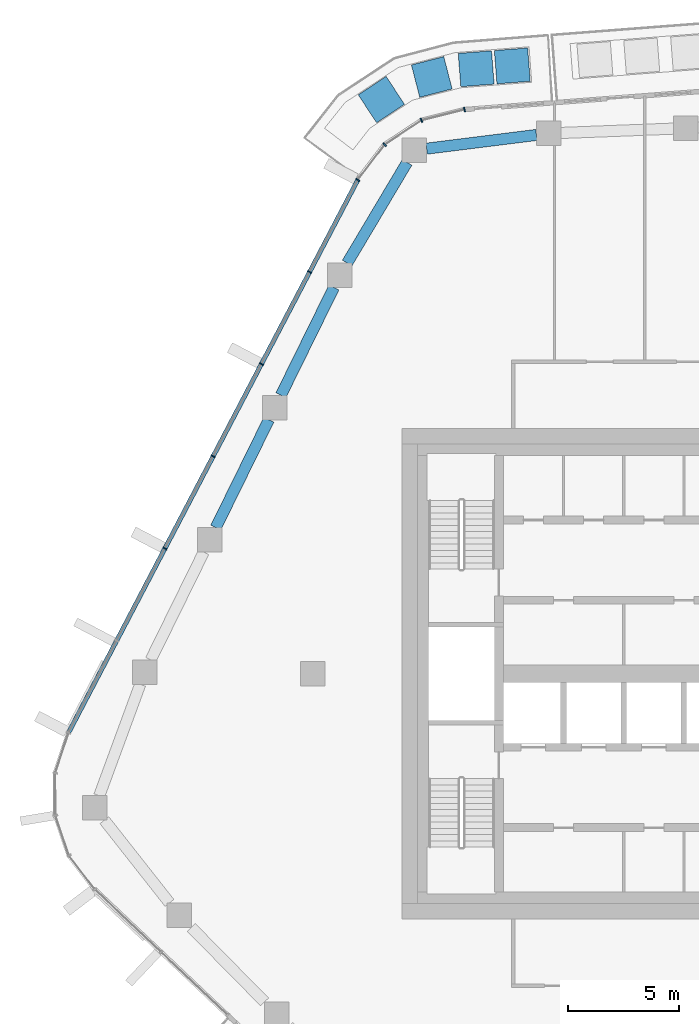
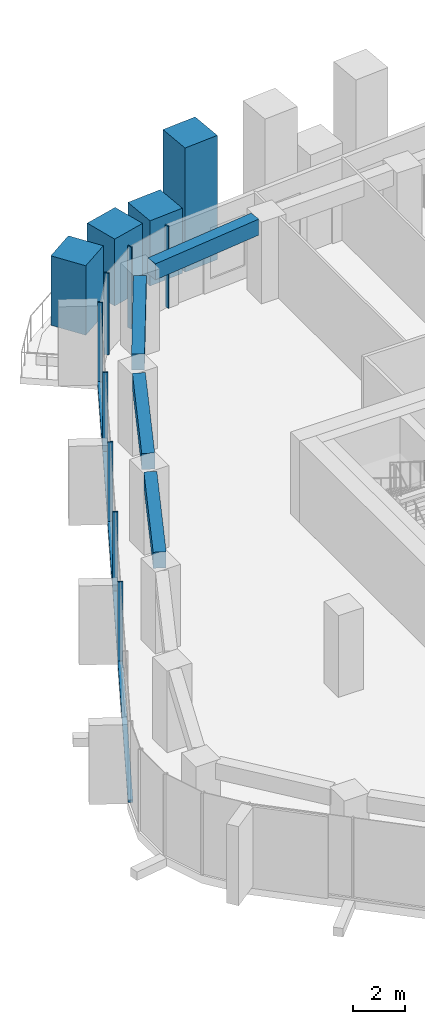
# One storey, part 6 of 20: 13 members, 4 beams, 2 elements without a shape of their own.
"""IFC4 building model written with IfcOpenShell, lengths in metres."""

from ifc_helpers import new_model, si_unit, direction, frame, origin, origin_2d, place, context, subcontext, project, spatial, rectangle, extrude, material, layer, layer_set, material_profile, profile_set, type_object, element, aggregate, save


model = new_model("IFC4")

# Units and contexts
model_context = context("Model", 3, precision=1e-05, world=origin(), true_north=direction((0.0, 1.0)))
body_context = subcontext(model_context, "Body", "Model", "MODEL_VIEW")
ifc_project = project(units=[si_unit("LENGTHUNIT", "METRE"), si_unit("AREAUNIT", "SQUARE_METRE"), si_unit("VOLUMEUNIT", "CUBIC_METRE"), si_unit("PLANEANGLEUNIT", "RADIAN"), si_unit("MASSUNIT", "GRAM", prefix="KILO")], contexts=[model_context])

# Site, building, storey
site_placement = place(None, origin())
site = spatial("IfcSite", under=ifc_project, at=site_placement, CompositionType="ELEMENT")
building_placement = place(site_placement, origin())
building = spatial("IfcBuilding", under=site, at=building_placement, Name="Dongbaek Canopy Tower", CompositionType="ELEMENT")
storey_placement = place(building_placement, frame((0.0, 0.0, 249.60009765625)))
storey = spatial("IfcBuildingStorey", under=building, at=storey_placement, Name="L52", CompositionType="ELEMENT", Elevation=249.60009765625)

# Curtain wall, members
ifc_material_1 = material(Name="Aluminium 6063-T6 pale anodised", Category="aluminium")
ifc_layer = layer(ifc_material_1, 0.199951171875)
ifc_layer_set = layer_set([ifc_layer], Name="CW-1 unitised tower curtain wall")
curtain_wall_type = type_object("IfcCurtainWallType", Name="CW-1 unitised tower curtain wall", PredefinedType="NOTDEFINED", material=ifc_layer_set)
curtain_wall_1_placement = place(storey_placement, origin())
curtain_wall_1 = element("IfcCurtainWall", 1, at=curtain_wall_1_placement, inside=storey, type_object=curtain_wall_type, Name="CW-1 curtain wall K2.1", PredefinedType="NOTDEFINED")
ifc_material_2 = material(Name="Aluminium 6063-T6 pale anodised", Category="aluminium")
ifc_material_profile_1 = material_profile(ifc_material_2, rectangle(XDim=0.199951171875, YDim=0.06005859375, at=origin_2d()), Name="CW-1 mullion 60 x 200")
ifc_profile_set_1 = profile_set([ifc_material_profile_1], Name="Aluminium 6063-T6 pale anodised")
member_type_1 = type_object("IfcMemberType", Name="CW-1 mullion 60 x 200", PredefinedType="MULLION", material=ifc_profile_set_1)
member_1_placement = place(storey_placement, frame((-11.193603515625, 25.3134765625, 0.0), z_axis=(0.0, 0.0, 1.0), x_axis=(-0.242823602331, 0.970070460405, 0.0)))
member_1 = element("IfcMember", 2, at=member_1_placement, type_object=member_type_1, Name="CW-1 mullion K2.1.1", PredefinedType="MULLION", context=body_context, shape_type="SweptSolid", body=[
    extrude(rectangle(XDim=0.199951171875, YDim=0.06005859375, at=origin_2d()), origin(), (0.0, 0.0, 1.0), 3.81982421875),
])
member_2_placement = place(storey_placement, frame((-13.123291015625, 24.830322265625, 0.0), z_axis=(0.0, 0.0, 1.0), x_axis=(-0.40223606789, 0.9155359882, 0.0)))
member_2 = element("IfcMember", 3, at=member_2_placement, type_object=member_type_1, Name="CW-1 mullion K2.1.2", PredefinedType="MULLION", context=body_context, shape_type="SweptSolid", body=[
    extrude(rectangle(XDim=0.199951171875, YDim=0.06005859375, at=origin_2d()), origin(), (0.0, 0.0, 1.0), 3.81982421875),
])
member_3_placement = place(storey_placement, frame((-14.77685546875, 23.74072265625, 0.0), z_axis=(0.0, 0.0, 1.0), x_axis=(-0.68260594491, 0.730786647369, 0.0)))
member_3 = element("IfcMember", 4, at=member_3_placement, type_object=member_type_1, Name="CW-1 mullion K2.1.3", PredefinedType="MULLION", context=body_context, shape_type="SweptSolid", body=[
    extrude(rectangle(XDim=0.199951171875, YDim=0.06005859375, at=origin_2d()), origin(), (0.0, 0.0, 1.0), 3.81982421875),
])
member_4_placement = place(storey_placement, frame((-15.98193359375, 22.158203125, 0.0), z_axis=(0.0, 0.0, 1.0), x_axis=(-0.795604680933, 0.605816136858, 0.0)))
member_4 = element("IfcMember", 5, at=member_4_placement, type_object=member_type_1, Name="CW-1 mullion K2.1.4", PredefinedType="MULLION", context=body_context, shape_type="SweptSolid", body=[
    extrude(rectangle(XDim=0.199951171875, YDim=0.06005859375, at=origin_2d()), origin(), (0.0, 0.0, 1.0), 3.81982421875),
])
aggregate(curtain_wall_1, [member_1, member_2, member_3, member_4])

curtain_wall_2_placement = place(storey_placement, origin())
curtain_wall_2 = element("IfcCurtainWall", 6, at=curtain_wall_2_placement, inside=storey, type_object=curtain_wall_type, Name="CW-1 curtain wall F2.1", PredefinedType="NOTDEFINED")
member_5_placement = place(storey_placement, frame((-18.14208984375, 18.030029296875, 0.119873046875), z_axis=(0.0, 0.0, 1.0), x_axis=(-0.886019109709, 0.463648721803, 0.0)))
member_5 = element("IfcMember", 7, at=member_5_placement, type_object=member_type_1, Name="CW-1 mullion F2.1.2", PredefinedType="MULLION", context=body_context, shape_type="SweptSolid", body=[
    extrude(rectangle(XDim=0.199951171875, YDim=0.06005859375, at=origin_2d()), origin(), (0.0, 0.0, 1.0), 3.699951171875),
])
member_6_placement = place(storey_placement, frame((-20.306396484375, 13.89453125, 0.119873046875), z_axis=(0.0, 0.0, 1.0), x_axis=(-0.886019109709, 0.463648721803, 0.0)))
member_6 = element("IfcMember", 8, at=member_6_placement, type_object=member_type_1, Name="CW-1 mullion F2.1.3", PredefinedType="MULLION", context=body_context, shape_type="SweptSolid", body=[
    extrude(rectangle(XDim=0.199951171875, YDim=0.06005859375, at=origin_2d()), origin(), (0.0, 0.0, 1.0), 3.699951171875),
])
member_7_placement = place(storey_placement, frame((-22.470458984375, 9.759033203125, 0.119873046875), z_axis=(0.0, 0.0, 1.0), x_axis=(-0.886019109709, 0.463648721803, 0.0)))
member_7 = element("IfcMember", 9, at=member_7_placement, type_object=member_type_1, Name="CW-1 mullion F2.1.4", PredefinedType="MULLION", context=body_context, shape_type="SweptSolid", body=[
    extrude(rectangle(XDim=0.199951171875, YDim=0.06005859375, at=origin_2d()), origin(), (0.0, 0.0, 1.0), 3.699951171875),
])
member_8_placement = place(storey_placement, frame((-24.634521484375, 5.623291015625, 0.119873046875), z_axis=(0.0, 0.0, 1.0), x_axis=(-0.886019109709, 0.463648721803, 0.0)))
member_8 = element("IfcMember", 10, at=member_8_placement, type_object=member_type_1, Name="CW-1 mullion F2.1.5", PredefinedType="MULLION", context=body_context, shape_type="SweptSolid", body=[
    extrude(rectangle(XDim=0.199951171875, YDim=0.06005859375, at=origin_2d()), origin(), (0.0, 0.0, 1.0), 3.699951171875),
])
ifc_material_3 = material(Name="Aluminium 6063-T6 pale anodised", Category="aluminium")
ifc_material_profile_2 = material_profile(ifc_material_3, rectangle(XDim=0.199951171875, YDim=0.1201171875, at=origin_2d()), Name="CW-1 transom 120 x 200")
ifc_profile_set_2 = profile_set([ifc_material_profile_2], Name="Aluminium 6063-T6 pale anodised")
member_type_2 = type_object("IfcMemberType", Name="CW-1 transom 120 x 200", PredefinedType="USERDEFINED", material=ifc_profile_set_2)
member_9_placement = place(storey_placement, frame((-15.98193359375, 22.158203125, 0.059814453125), z_axis=(-0.463647772678, -0.88601960638, 0.0), x_axis=(0.88601960638, -0.463647772678, 0.0)))
member_9 = element("IfcMember", 11, at=member_9_placement, type_object=member_type_2, Name="CW-1 transom F2.1.1", ObjectType="TRANSOM", PredefinedType="USERDEFINED", context=body_context, shape_type="SweptSolid", body=[
    extrude(rectangle(XDim=0.199951171875, YDim=0.1201171875, at=origin_2d()), origin(), (0.0, 0.0, 1.0), 27.989013671875),
])
aggregate(curtain_wall_2, [member_5, member_6, member_7, member_8, member_9])

# Beams
ifc_material_4 = material(Name="Concrete C70", Category="concrete")
ifc_material_profile_3 = material_profile(ifc_material_4, rectangle(XDim=0.5, YDim=0.75, at=origin_2d()), Name="RC EDGE BEAM 500x750 C70")
ifc_profile_set_3 = profile_set([ifc_material_profile_3], Name="Concrete C70")
beam_type = type_object("IfcBeamType", Name="RC EDGE BEAM 500x750 C70", PredefinedType="BEAM", material=ifc_profile_set_3)
beam_1_placement = place(storey_placement, frame((-22.350341796875, 6.56103515625, 3.44482421875), z_axis=(0.441366916234, 0.897326721576, 0.0), x_axis=(-0.897326721576, 0.441366916234, 0.0)))
element("IfcBeam", 12, at=beam_1_placement, inside=storey, type_object=beam_type, Name="EDGEBEAM:L52:10", PredefinedType="BEAM", context=body_context, shape_type="SweptSolid", body=[
    extrude(rectangle(XDim=0.5, YDim=0.75, at=origin_2d()), origin(), (0.0, 0.0, 1.0), 5.38720703125),
])
beam_2_placement = place(storey_placement, frame((-19.431396484375, 12.4951171875, 3.44482421875), z_axis=(0.441347181793, 0.89733642806, 0.0), x_axis=(-0.89733642806, 0.441347181793, 0.0)))
element("IfcBeam", 13, at=beam_2_placement, inside=storey, type_object=beam_type, Name="EDGEBEAM:L52:11", PredefinedType="BEAM", context=body_context, shape_type="SweptSolid", body=[
    extrude(rectangle(XDim=0.5, YDim=0.75, at=origin_2d()), origin(), (0.0, 0.0, 1.0), 5.3857421875),
])
beam_3_placement = place(storey_placement, frame((-16.45654296875, 18.427978515625, 3.44482421875), z_axis=(0.511587639318, 0.85923110238, 0.0), x_axis=(-0.85923110238, 0.511587639318, 0.0)))
element("IfcBeam", 14, at=beam_3_placement, inside=storey, type_object=beam_type, Name="EDGEBEAM:L52:12", PredefinedType="BEAM", context=body_context, shape_type="SweptSolid", body=[
    extrude(rectangle(XDim=0.5, YDim=0.75, at=origin_2d()), origin(), (0.0, 0.0, 1.0), 5.252197265625),
])
beam_4_placement = place(storey_placement, frame((-12.89208984375, 23.5595703125, 3.44482421875), z_axis=(0.992305840698, 0.123810817446, 0.0), x_axis=(-0.123810817446, 0.992305840698, 0.0)))
element("IfcBeam", 15, at=beam_4_placement, inside=storey, type_object=beam_type, Name="EDGEBEAM:L52:13", PredefinedType="BEAM", context=body_context, shape_type="SweptSolid", body=[
    extrude(rectangle(XDim=0.5, YDim=0.75, at=origin_2d()), origin(), (0.0, 0.0, 1.0), 4.965087890625),
])

# Members
ifc_material_5 = material(Name="Concrete C40/50 planter mass with planting", Category="concrete")
ifc_material_profile_4 = material_profile(ifc_material_5, rectangle(XDim=1.5, YDim=1.5, at=origin_2d()), Name="Terrace PLANTER shrub mass 1500 x 1500")
ifc_profile_set_4 = profile_set([ifc_material_profile_4], Name="Concrete C40/50 planter mass with planting")
member_type_3 = type_object("IfcMemberType", Name="Terrace PLANTER shrub mass 1500 x 1500", PredefinedType="USERDEFINED", material=ifc_profile_set_4)
member_10_placement = place(storey_placement, frame((-9.048095703125, 27.271728515625, 0.419921875), z_axis=(0.0, 0.0, 1.0), x_axis=(-0.078359237905, 0.996925187682, 0.0)))
element("IfcMember", 16, at=member_10_placement, inside=storey, type_object=member_type_3, Name="Planter tree L52 7.1", ObjectType="PLANTER", PredefinedType="USERDEFINED", context=body_context, shape_type="SweptSolid", body=[
    extrude(rectangle(XDim=1.5, YDim=1.5, at=origin_2d()), origin(), (0.0, 0.0, 1.0), 5.81005859375),
])
member_11_placement = place(storey_placement, frame((-10.669677734375, 27.144287109375, 0.419921875), z_axis=(0.0, 0.0, 1.0), x_axis=(-0.078359237905, 0.996925187682, 0.0)))
element("IfcMember", 17, at=member_11_placement, inside=storey, type_object=member_type_3, Name="Planter shrubs L52 7.2", ObjectType="PLANTER", PredefinedType="USERDEFINED", context=body_context, shape_type="SweptSolid", body=[
    extrude(rectangle(XDim=1.5, YDim=1.5, at=origin_2d()), origin(), (0.0, 0.0, 1.0), 3.050048828125),
])
member_12_placement = place(storey_placement, frame((-12.662109375, 26.775634765625, 0.419921875), z_axis=(0.0, 0.0, 1.0), x_axis=(-0.24996276351, 0.968255450209, 0.0)))
element("IfcMember", 18, at=member_12_placement, inside=storey, type_object=member_type_3, Name="Planter shrubs L52 7.3", ObjectType="PLANTER", PredefinedType="USERDEFINED", context=body_context, shape_type="SweptSolid", body=[
    extrude(rectangle(XDim=1.5, YDim=1.5, at=origin_2d()), origin(), (0.0, 0.0, 1.0), 3.1298828125),
])
member_13_placement = place(storey_placement, frame((-14.921875, 25.76025390625, 0.419921875), z_axis=(0.0, 0.0, 1.0), x_axis=(-0.550230522525, 0.835012797556, 0.0)))
element("IfcMember", 19, at=member_13_placement, inside=storey, type_object=member_type_3, Name="Planter shrubs L52 7.4", ObjectType="PLANTER", PredefinedType="USERDEFINED", context=body_context, shape_type="SweptSolid", body=[
    extrude(rectangle(XDim=1.5, YDim=1.5, at=origin_2d()), origin(), (0.0, 0.0, 1.0), 3.25),
])

save(model, "model.ifc")
